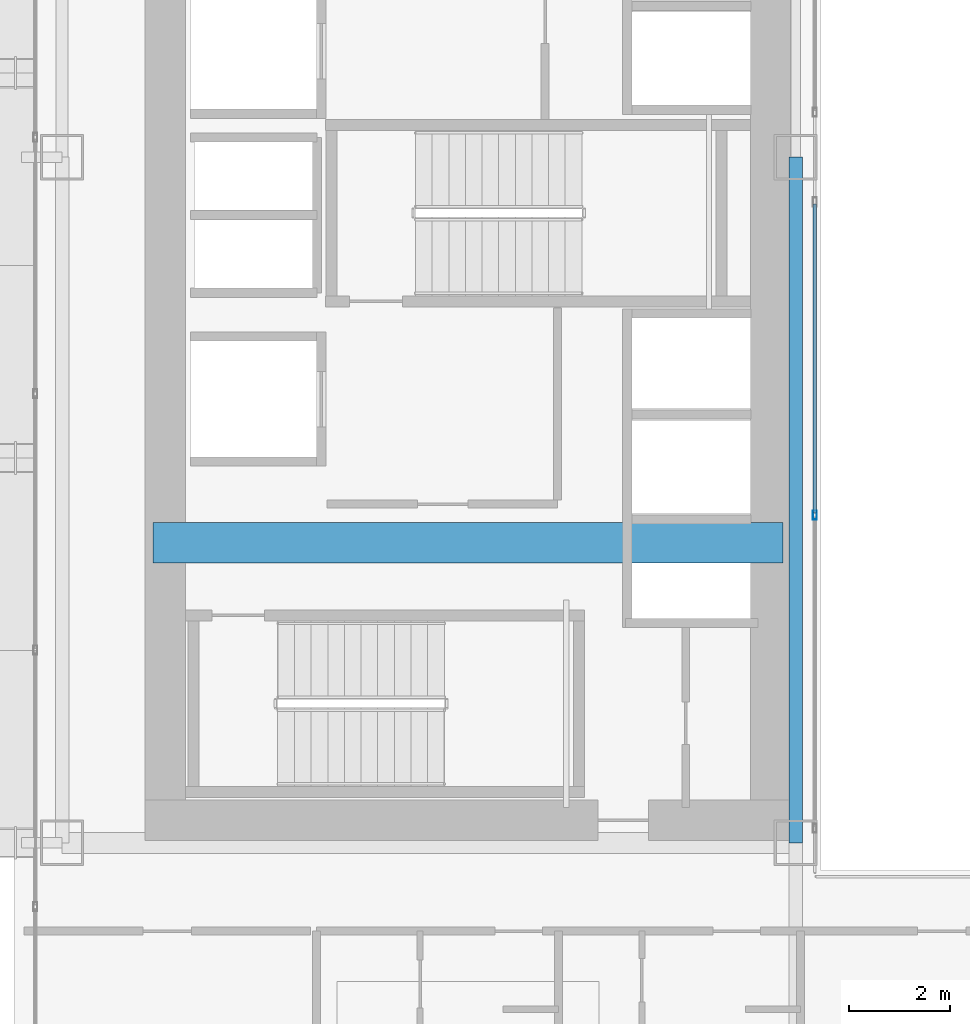
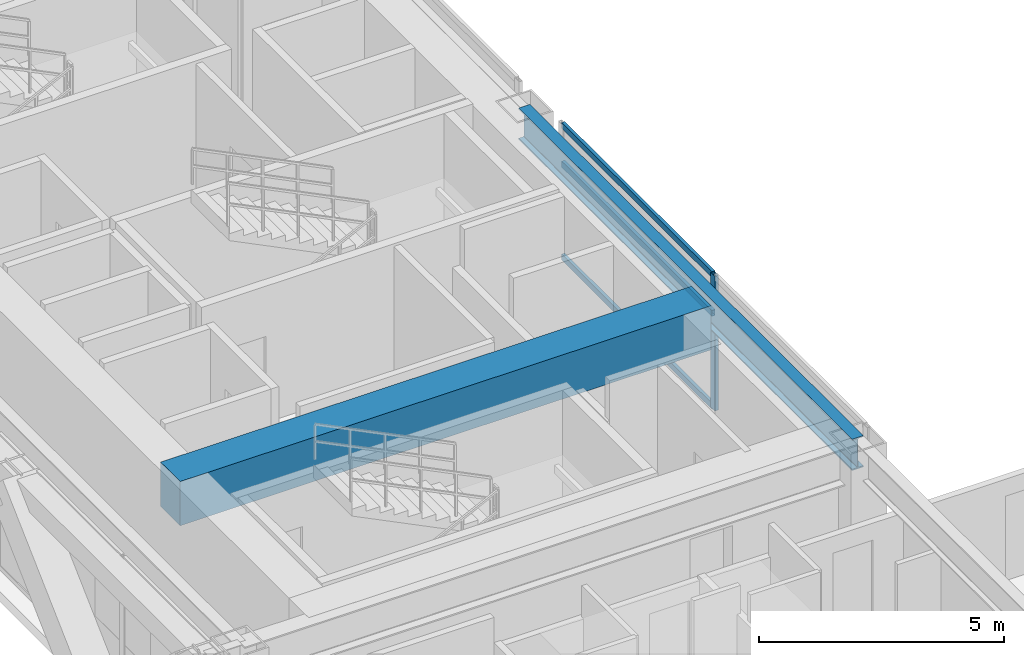
# One storey, part 8 of 41: 4 members, 2 beams, 1 element without a shape of its own.
"""IFC4 building model written with IfcOpenShell, lengths in metres."""

import ifcopenshell
import ifcopenshell.guid

model = None  # the IFC model being written
_history = None  # IfcOwnerHistory: only IFC2X3 demands one
_inside = {}  # id of a spatial element -> (the spatial element, [elements in it])
_under = {}  # id of a project, library or spatial element -> (it, [spatial elements below it])
_declared = {}  # id of a project -> (the project, [libraries it declares])
_typed = {}  # id of a type object -> (the type object, [elements of that type])
_made_of = {}  # id of a material, layer set ... -> (it, [elements and type objects made of it])


def new_model(schema):
    """Start an empty IFC model of exactly this schema.

    Asked for "IFC4X3", IfcOpenShell would pick the latest addendum, in which some entities
    have other attributes; the version numbers below select the first issue.
    IFC2X3 requires an IfcOwnerHistory on every rooted entity: one is made here for all.
    """
    global model, _history
    if schema == "IFC4X3":
        model = ifcopenshell.file(schema_version=(4, 3, 0, 0))
    else:
        model = ifcopenshell.file(schema=schema)
    _inside.clear()
    _under.clear()
    _declared.clear()
    _typed.clear()
    _made_of.clear()
    _history = None
    if model.schema == "IFC2X3":
        org = make("IfcOrganization", Name="unknown")
        user = make(
            "IfcPersonAndOrganization",
            ThePerson=make("IfcPerson", FamilyName="unknown"),
            TheOrganization=org,
        )
        app = make(
            "IfcApplication",
            ApplicationDeveloper=org,
            Version="unknown",
            ApplicationFullName="unknown",
            ApplicationIdentifier="unknown",
        )
        _history = make(
            "IfcOwnerHistory",
            OwningUser=user,
            OwningApplication=app,
            ChangeAction="ADDED",
            CreationDate=0,
        )
    return model


def make(cls, **values):
    """One entity of the class cls with the attributes given. An attribute that is None is left unset."""
    return model.create_entity(
        cls, **{name: value for name, value in values.items() if value is not None}
    )


def rooted(cls, **values):
    """An entity with a GlobalId (a new one), such as an element, a storey or a relation."""
    return make(cls, GlobalId=ifcopenshell.guid.new(), OwnerHistory=_history, **values)


def si_unit(unit_type, name, prefix=None):
    """IfcSIUnit, for example si_unit("LENGTHUNIT", "METRE", prefix="MILLI")."""
    return make("IfcSIUnit", UnitType=unit_type, Prefix=prefix, Name=name)


def assignment(units):
    """IfcUnitAssignment: the units of a project."""
    return None if units is None else make("IfcUnitAssignment", Units=units)


def point(xyz):
    """IfcCartesianPoint."""
    return None if xyz is None else make("IfcCartesianPoint", Coordinates=xyz)


def direction(xyz):
    """IfcDirection."""
    return None if xyz is None else make("IfcDirection", DirectionRatios=xyz)


def frame(location, z_axis=None, x_axis=None):
    """IfcAxis2Placement3D, a coordinate frame: its origin and axes. An axis left out is left unset."""
    return make(
        "IfcAxis2Placement3D",
        Location=point(location),
        Axis=direction(z_axis),
        RefDirection=direction(x_axis),
    )


def frame_2d(location, x_axis=None):
    """IfcAxis2Placement2D, a coordinate frame in the plane: its origin and x axis."""
    return make(
        "IfcAxis2Placement2D", Location=point(location), RefDirection=direction(x_axis)
    )


def origin():
    """The frame at (0, 0, 0) with its axes left unset."""
    return frame((0.0, 0.0, 0.0))


def origin_2d():
    """The frame at (0, 0) in the plane with its x axis left unset."""
    return frame_2d((0.0, 0.0))


def place(relative_to, where):
    """IfcLocalPlacement: puts the frame where relative to a parent placement (None: the world)."""
    return make(
        "IfcLocalPlacement", PlacementRelTo=relative_to, RelativePlacement=where
    )


def context(
    kind, dimensions, precision=None, world=None, true_north=None, identifier=None
):
    """IfcGeometricRepresentationContext, for example the 3D "Model" context."""
    return make(
        "IfcGeometricRepresentationContext",
        ContextIdentifier=identifier,
        ContextType=kind,
        CoordinateSpaceDimension=dimensions,
        Precision=precision,
        WorldCoordinateSystem=world,
        TrueNorth=true_north,
    )


def subcontext(parent, identifier, kind, view, scale=None):
    """IfcGeometricRepresentationSubContext, for example "Body" below "Model"."""
    return make(
        "IfcGeometricRepresentationSubContext",
        ContextIdentifier=identifier,
        ContextType=kind,
        ParentContext=parent,
        TargetScale=scale,
        TargetView=view,
    )


def project(units=None, contexts=None):
    """IfcProject with its units and contexts."""
    return rooted(
        "IfcProject",
        Name="project",
        RepresentationContexts=contexts,
        UnitsInContext=assignment(units),
    )


def spatial(cls, under=None, at=None, **own):
    """A site, building, storey or space (cls), placed at a placement, below another one or the project."""
    s = rooted(cls, ObjectPlacement=at, **own)
    if under is not None:
        _under.setdefault(under.id(), (under, []))[1].append(s)
    return s


def profile(cls, at=None, kind="AREA", **sizes):
    """A parametric profile (cls). Its sizes go by their IFC names, for example OverallWidth=200.0."""
    return make(cls, ProfileType=kind, Position=at, **sizes)


def rectangle(**sizes):
    """IfcRectangleProfileDef."""
    return profile("IfcRectangleProfileDef", **sizes)


def hollow_rectangle(**sizes):
    """IfcRectangleHollowProfileDef."""
    return profile("IfcRectangleHollowProfileDef", **sizes)


def i_section(**sizes):
    """IfcIShapeProfileDef."""
    return profile("IfcIShapeProfileDef", **sizes)


def extrude(swept, where, along, depth):
    """IfcExtrudedAreaSolid: the profile swept, set in the frame where, extruded along a direction by depth."""
    return make(
        "IfcExtrudedAreaSolid",
        SweptArea=swept,
        Position=where,
        ExtrudedDirection=direction(along),
        Depth=depth,
    )


def shape(context_of_items, identifier, shape_type, items):
    """IfcShapeRepresentation: the items that make up one representation, for example the "Body"."""
    return make(
        "IfcShapeRepresentation",
        ContextOfItems=context_of_items,
        RepresentationIdentifier=identifier,
        RepresentationType=shape_type,
        Items=items,
    )


def source(mapping_origin, context_of_items, identifier, shape_type, items):
    """IfcRepresentationMap: a shape defined once, which mapped items show again and again."""
    return make(
        "IfcRepresentationMap",
        MappingOrigin=mapping_origin,
        MappedRepresentation=shape(context_of_items, identifier, shape_type, items),
    )


def transform(
    local_origin,
    x_axis=None,
    y_axis=None,
    z_axis=None,
    scale=None,
    scale2=None,
    scale3=None,
    uniform=True,
):
    """IfcCartesianTransformationOperator3D, or its non-uniform kind. x_axis, y_axis, z_axis: its Axis1, 2, 3."""
    if uniform:
        return make(
            "IfcCartesianTransformationOperator3D",
            Axis1=direction(x_axis),
            Axis2=direction(y_axis),
            LocalOrigin=point(local_origin),
            Scale=scale,
            Axis3=direction(z_axis),
        )
    return make(
        "IfcCartesianTransformationOperator3DnonUniform",
        Axis1=direction(x_axis),
        Axis2=direction(y_axis),
        LocalOrigin=point(local_origin),
        Scale=scale,
        Axis3=direction(z_axis),
        Scale2=scale2,
        Scale3=scale3,
    )


def mapped(mapping_source, mapping_target):
    """IfcMappedItem: shows the shape of a source again, moved by a transform."""
    return make(
        "IfcMappedItem", MappingSource=mapping_source, MappingTarget=mapping_target
    )


def material(Name=None, Category=None):
    """IfcMaterial."""
    return make("IfcMaterial", Name=Name, Category=Category)


def layer(
    of_material, thickness, ventilated=None, Name=None, Category=None, Priority=None
):
    """IfcMaterialLayer: one layer of a wall or slab, of a material (None: an air gap)."""
    return make(
        "IfcMaterialLayer",
        Material=of_material,
        LayerThickness=thickness,
        IsVentilated=ventilated,
        Name=Name,
        Category=Category,
        Priority=Priority,
    )


def layer_set(layers, Name=None):
    """IfcMaterialLayerSet."""
    return make("IfcMaterialLayerSet", MaterialLayers=layers, LayerSetName=Name)


def material_profile(
    of_material, cross_section, Name=None, Category=None, Priority=None
):
    """IfcMaterialProfile: a cross section and its material."""
    return make(
        "IfcMaterialProfile",
        Name=Name,
        Material=of_material,
        Profile=cross_section,
        Priority=Priority,
        Category=Category,
    )


def profile_set(profiles, Name=None, composite=None):
    """IfcMaterialProfileSet."""
    return make(
        "IfcMaterialProfileSet",
        Name=Name,
        MaterialProfiles=profiles,
        CompositeProfile=composite,
    )


def made_of(thing, what):
    """Note that an element or type object is made of a material, layer set ...; save() writes the relation."""
    if what is not None:
        _made_of.setdefault(what.id(), (what, []))[1].append(thing)
    return thing


def type_object(cls, material=None, **own):
    """A type object (cls), such as IfcWallType, which elements share."""
    return made_of(rooted(cls, **own), material)


def element(
    cls,
    number,
    at=None,
    inside=None,
    cuts=None,
    type_object=None,
    material=None,
    context=None,
    identifier="Body",
    shape_type=None,
    held_by="IfcProductDefinitionShape",
    body=None,
    shapes=None,
    **own,
):
    """One element of the class cls, such as IfcWall. Its Tag is "e" and its number.

    at: its placement. inside: the storey or other place that contains it. cuts: it is an
    opening in that element (IfcRelVoidsElement). A single representation is given by context,
    identifier, shape_type and body (its items); several are given by shapes. held_by: the class
    of the entity that holds the representations. save() writes the other relations.
    """
    e = rooted(cls, Tag="e%d" % number, ObjectPlacement=at, **own)
    if body is not None:
        shapes = [shape(context, identifier, shape_type, body)]
    if shapes is not None:
        e.Representation = make(held_by, Representations=shapes)
    if inside is not None:
        _inside.setdefault(inside.id(), (inside, []))[1].append(e)
    if cuts is not None:
        rooted(
            "IfcRelVoidsElement", RelatingBuildingElement=cuts, RelatedOpeningElement=e
        )
    if type_object is not None:
        _typed.setdefault(type_object.id(), (type_object, []))[1].append(e)
    return made_of(e, material)


def aggregate(whole, parts):
    """IfcRelAggregates: a whole, such as a stair, and the parts it consists of."""
    return rooted("IfcRelAggregates", RelatingObject=whole, RelatedObjects=parts)


def save(model, path):
    """Write the relations noted so far, then the file.

    IfcRelAggregates (storeys below a building ...), IfcRelContainedInSpatialStructure (elements
    in a storey), IfcRelDefinesByType, IfcRelAssociatesMaterial and IfcRelDeclares: one each for
    every whole, place, type object, material and project.
    """
    for whole, parts in _under.values():
        aggregate(whole, parts)
    for where, things in _inside.values():
        rooted(
            "IfcRelContainedInSpatialStructure",
            RelatedElements=things,
            RelatingStructure=where,
        )
    for kind, things in _typed.values():
        rooted("IfcRelDefinesByType", RelatedObjects=things, RelatingType=kind)
    for what, things in _made_of.values():
        rooted("IfcRelAssociatesMaterial", RelatedObjects=things, RelatingMaterial=what)
    for by, libraries in _declared.values():
        rooted("IfcRelDeclares", RelatingContext=by, RelatedDefinitions=libraries)
    model.write(path)


model = new_model("IFC4")

# Units and contexts
model_context = context("Model", 3, precision=1e-05, world=origin(), true_north=direction((0.0, 1.0)))
body_context = subcontext(model_context, "Body", "Model", "MODEL_VIEW")
ifc_project = project(units=[si_unit("LENGTHUNIT", "METRE"), si_unit("AREAUNIT", "SQUARE_METRE"), si_unit("VOLUMEUNIT", "CUBIC_METRE"), si_unit("PLANEANGLEUNIT", "RADIAN"), si_unit("MASSUNIT", "GRAM", prefix="KILO")], contexts=[model_context])

# Site, building, storey
site_placement = place(None, origin())
site = spatial("IfcSite", under=ifc_project, at=site_placement, CompositionType="ELEMENT")
building_placement = place(site_placement, origin())
building = spatial("IfcBuilding", under=site, at=building_placement, Name="Ocotamira Hotel", CompositionType="ELEMENT")
storey_placement = place(building_placement, frame((0.0, 0.0, 67.199951171875)))
storey = spatial("IfcBuildingStorey", under=building, at=storey_placement, Name="L16", CompositionType="ELEMENT", Elevation=67.199951171875)

# Beams
ifc_material_1 = material(Name="Concrete C60/75", Category="concrete")
ifc_material_profile_1 = material_profile(ifc_material_1, rectangle(XDim=0.800048828125, YDim=1.10009765625, at=origin_2d()), Name="RC800X1100")
ifc_profile_set_1 = profile_set([ifc_material_profile_1], Name="Concrete C60/75")
beam_type_1 = type_object("IfcBeamType", Name="BM-LINK-RC800", PredefinedType="LINTEL", material=ifc_profile_set_1)
shared_shape_1 = source(origin(), body_context, "Body", "SweptSolid", [
    extrude(rectangle(XDim=0.800048828125, YDim=1.10009765625, at=origin_2d()), origin(), (0.0, 0.0, 1.0), 12.5),
])
beam_1_placement = place(storey_placement, frame((10.75, 20.5, 2.800048828125), z_axis=(1.0, 0.0, 0.0), x_axis=(0.0, 1.0, 0.0)))
element("IfcBeam", 1, at=beam_1_placement, inside=storey, type_object=beam_type_1, Name="L16 West Core Coupling Beam", PredefinedType="LINTEL", context=body_context, shape_type="MappedRepresentation", body=[
    mapped(shared_shape_1, transform((0.0, 0.0, 0.0), scale=1.0)),
])
ifc_material_2 = material(Name="Steel ASTM A992 Grade 50", Category="steel")
ifc_material_profile_2 = material_profile(ifc_material_2, i_section(OverallWidth=0.26611328125, OverallDepth=0.779052734375, WebThickness=0.0166015625, FlangeThickness=0.030029296875, FilletRadius=0.01806640625, at=origin_2d()), Name="W30X148")
ifc_profile_set_2 = profile_set([ifc_material_profile_2], Name="Steel ASTM A992 Grade 50")
beam_type_2 = type_object("IfcBeamType", Name="BM-GIRD-W30X148", PredefinedType="BEAM", material=ifc_profile_set_2)
shared_shape_2 = source(origin(), body_context, "Body", "SweptSolid", [
    extrude(i_section(OverallWidth=0.26611328125, OverallDepth=0.779052734375, WebThickness=0.0166015625, FlangeThickness=0.030029296875, FilletRadius=0.01806640625, at=origin_2d()), origin(), (0.0, 0.0, 1.0), 13.599853515625),
])
beam_2_placement = place(storey_placement, frame((23.5, 14.550048828125, 2.96044921875), z_axis=(0.0, 1.0, 0.0), x_axis=(-1.0, 0.0, 0.0)))
element("IfcBeam", 2, at=beam_2_placement, inside=storey, type_object=beam_type_2, Name="L16 Beam X23.5 Y14.55-28.15", PredefinedType="BEAM", context=body_context, shape_type="MappedRepresentation", body=[
    mapped(shared_shape_2, transform((0.0, 0.0, 0.0), scale=1.0)),
])

# Curtain wall, members
ifc_material_3 = material(Name="Anodised pale-metal aluminium and solar glass", Category="aluminium")
ifc_layer = layer(ifc_material_3, 0.159912109375)
ifc_layer_set = layer_set([ifc_layer], Name="Anodised pale-metal aluminium and solar glass")
curtain_wall_type = type_object("IfcCurtainWallType", Name="CW-SYS6-ATR", PredefinedType="NOTDEFINED", material=ifc_layer_set)
curtain_wall_placement = place(storey_placement, origin())
curtain_wall = element("IfcCurtainWall", 3, at=curtain_wall_placement, inside=storey, type_object=curtain_wall_type, Name="L16 Curtain Wall CW-6 CW-L16-ATRW1", PredefinedType="NOTDEFINED")
ifc_material_4 = material(Name="Anodised pale-metal aluminium 6063-T6", Category="aluminium")
ifc_material_profile_3 = material_profile(ifc_material_4, hollow_rectangle(XDim=0.080078125, YDim=0.179931640625, WallThickness=0.006103515625, at=origin_2d()), Name="HSS180X80X6")
ifc_profile_set_3 = profile_set([ifc_material_profile_3], Name="Anodised pale-metal aluminium 6063-T6")
member_type_1 = type_object("IfcMemberType", Name="CWM-180X75", PredefinedType="MULLION", material=ifc_profile_set_3)
shared_shape_3 = source(origin(), body_context, "Body", "SweptSolid", [
    extrude(hollow_rectangle(XDim=0.080078125, YDim=0.179931640625, WallThickness=0.006103515625, at=origin_2d()), origin(), (0.0, 0.0, 1.0), 3.35009765625),
])
member_1_placement = place(storey_placement, frame((23.8798828125, 21.050048828125, 0.0), z_axis=(0.0, 0.0, 1.0), x_axis=(-1.0, 0.0, 0.0)))
member_1 = element("IfcMember", 4, at=member_1_placement, type_object=member_type_1, Name="CW-6 mullion 2", PredefinedType="MULLION", context=body_context, shape_type="MappedRepresentation", body=[
    mapped(shared_shape_3, transform((0.0, 0.0, 0.0), scale=1.0)),
])
ifc_material_profile_4 = material_profile(ifc_material_4, hollow_rectangle(XDim=0.074951171875, YDim=0.14990234375, WallThickness=0.006103515625, at=origin_2d()), Name="HSS150X75X6")
ifc_profile_set_4 = profile_set([ifc_material_profile_4], Name="Anodised pale-metal aluminium 6063-T6")
member_type_2 = type_object("IfcMemberType", Name="CWT-150X75", PredefinedType="USERDEFINED", material=ifc_profile_set_4)
shared_shape_4 = source(origin(), body_context, "Body", "SweptSolid", [
    extrude(hollow_rectangle(XDim=0.074951171875, YDim=0.14990234375, WallThickness=0.006103515625, at=origin_2d()), origin(), (0.0, 0.0, 1.0), 6.1298828125),
])
member_2_placement = place(storey_placement, frame((23.8798828125, 21.090087890625, 0.03759765625), z_axis=(0.0, 1.0, 0.0), x_axis=(-1.0, 0.0, 0.0)))
member_2 = element("IfcMember", 5, at=member_2_placement, type_object=member_type_2, Name="CW-6 transom 2.1", ObjectType="TRANSOM", PredefinedType="USERDEFINED", context=body_context, shape_type="MappedRepresentation", body=[
    mapped(shared_shape_4, transform((0.0, 0.0, 0.0), scale=1.0)),
])
member_3_placement = place(storey_placement, frame((23.8798828125, 21.090087890625, 2.35009765625), z_axis=(0.0, 1.0, 0.0), x_axis=(-1.0, 0.0, 0.0)))
member_3 = element("IfcMember", 6, at=member_3_placement, type_object=member_type_2, Name="CW-6 transom 2.2", ObjectType="TRANSOM", PredefinedType="USERDEFINED", context=body_context, shape_type="MappedRepresentation", body=[
    mapped(shared_shape_4, transform((0.0, 0.0, 0.0), scale=1.0)),
])
member_4_placement = place(storey_placement, frame((23.8798828125, 21.090087890625, 3.3125), z_axis=(0.0, 1.0, 0.0), x_axis=(-1.0, 0.0, 0.0)))
member_4 = element("IfcMember", 7, at=member_4_placement, type_object=member_type_2, Name="CW-6 transom 2.3", ObjectType="TRANSOM", PredefinedType="USERDEFINED", context=body_context, shape_type="MappedRepresentation", body=[
    mapped(shared_shape_4, transform((0.0, 0.0, 0.0), scale=1.0)),
])
aggregate(curtain_wall, [member_1, member_2, member_3, member_4])

save(model, "model.ifc")
